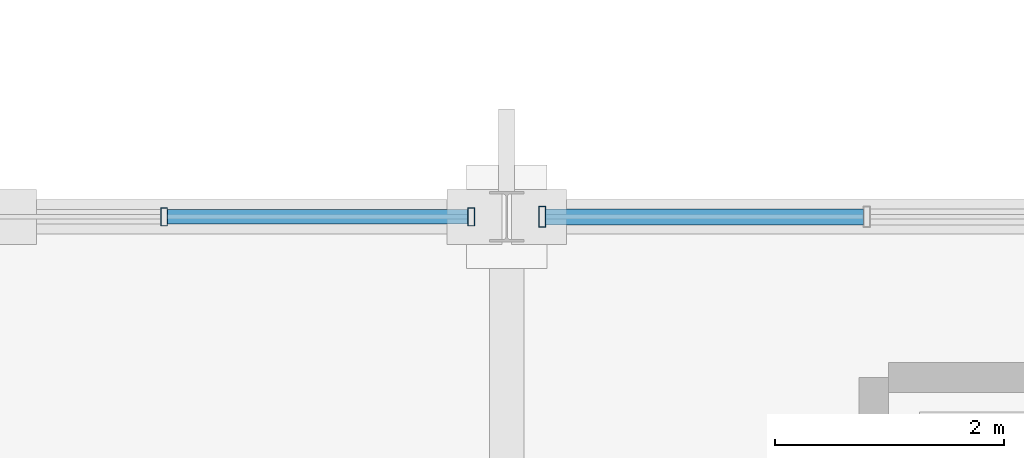
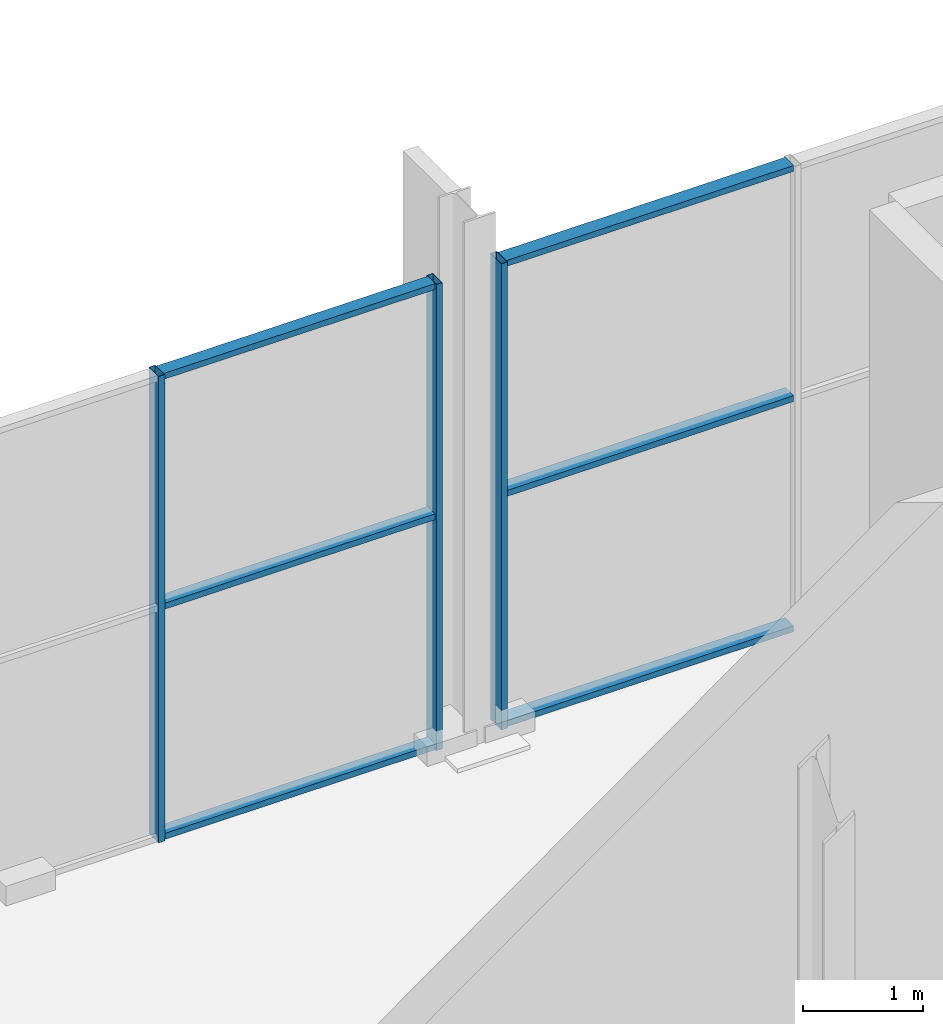
# One storey, part 84 of 196: 9 members, 2 elements without a shape of their own.
"""IFC4 building model written with IfcOpenShell, lengths in metres."""

from ifc_helpers import new_model, si_unit, direction, frame, origin, origin_2d, place, context, subcontext, project, spatial, hollow_rectangle, extrude, material, material_profile, profile_set, type_object, element, aggregate, save


model = new_model("IFC4")

# Units and contexts
model_context = context("Model", 3, precision=1e-05, world=origin(), true_north=direction((0.0, 1.0)))
body_context = subcontext(model_context, "Body", "Model", "MODEL_VIEW")
ifc_project = project(units=[si_unit("LENGTHUNIT", "METRE"), si_unit("AREAUNIT", "SQUARE_METRE"), si_unit("VOLUMEUNIT", "CUBIC_METRE"), si_unit("PLANEANGLEUNIT", "RADIAN"), si_unit("MASSUNIT", "GRAM", prefix="KILO")], contexts=[model_context])

# Site, building, storey
site_placement = place(None, origin())
site = spatial("IfcSite", under=ifc_project, at=site_placement, CompositionType="ELEMENT")
building_placement = place(site_placement, origin())
building = spatial("IfcBuilding", under=site, at=building_placement, Name="Merenkruunu Market Hall", CompositionType="ELEMENT")
storey_placement = place(building_placement, origin())
storey = spatial("IfcBuildingStorey", under=building, at=storey_placement, Name="L00", CompositionType="ELEMENT", Elevation=0.0)

# Curtain wall, members
ifc_material = material(Name="Powder-coated aluminium", Category="aluminium")
curtain_wall_type_1 = type_object("IfcCurtainWallType", Name="Glazed Curtain Wall CW06", PredefinedType="USERDEFINED", material=ifc_material)
curtain_wall_1_placement = place(storey_placement, origin())
curtain_wall_1 = element("IfcCurtainWall", 1, at=curtain_wall_1_placement, inside=storey, type_object=curtain_wall_type_1, Name="CW-L00-CWM01-184", ObjectType="GLAZED_FACADE", PredefinedType="USERDEFINED")
ifc_material_profile_1 = material_profile(ifc_material, hollow_rectangle(XDim=0.06005859375, YDim=0.159912109375, WallThickness=0.00390625, at=origin_2d()), Name="ALU 60x160x4")
ifc_profile_set_1 = profile_set([ifc_material_profile_1], Name="Powder-coated aluminium")
member_type_1 = type_object("IfcMemberType", Name="Curtain Wall Mullion CWM01", PredefinedType="MULLION", material=ifc_profile_set_1)
member_1_placement = place(storey_placement, frame((97.813232421875, 45.60009765625, 0.0), z_axis=(0.0, 0.0, 1.0), x_axis=(1.0, 0.0, 0.0)))
member_1 = element("IfcMember", 2, at=member_1_placement, type_object=member_type_1, Name="CW06 mullion 3", PredefinedType="MULLION", context=body_context, shape_type="SweptSolid", body=[
    extrude(hollow_rectangle(XDim=0.06005859375, YDim=0.159912109375, WallThickness=0.00390625, at=origin_2d()), origin(), (0.0, 0.0, 1.0), 4.75),
])
member_2_placement = place(storey_placement, frame((100.489990234375, 45.60009765625, 0.0), z_axis=(0.0, 0.0, 1.0), x_axis=(1.0, 0.0, 0.0)))
member_2 = element("IfcMember", 3, at=member_2_placement, type_object=member_type_1, Name="CW06 mullion 4", PredefinedType="MULLION", context=body_context, shape_type="SweptSolid", body=[
    extrude(hollow_rectangle(XDim=0.06005859375, YDim=0.159912109375, WallThickness=0.00390625, at=origin_2d()), origin(), (0.0, 0.0, 1.0), 4.75),
])

# Curtain wall, member
curtain_wall_type_2 = type_object("IfcCurtainWallType", Name="Glazed Curtain Wall CW04", PredefinedType="USERDEFINED", material=ifc_material)
curtain_wall_2_placement = place(storey_placement, origin())
curtain_wall_2 = element("IfcCurtainWall", 4, at=curtain_wall_2_placement, inside=storey, type_object=curtain_wall_type_2, Name="CW-L00-CWM02-188", ObjectType="GLAZED_FACADE", PredefinedType="USERDEFINED")
ifc_material_profile_2 = material_profile(ifc_material, hollow_rectangle(XDim=0.06005859375, YDim=0.179931640625, WallThickness=0.00390625, at=origin_2d()), Name="ALU 60x180x4")
ifc_profile_set_2 = profile_set([ifc_material_profile_2], Name="Powder-coated aluminium")
member_type_2 = type_object("IfcMemberType", Name="Curtain Wall Mullion CWM02", PredefinedType="MULLION", material=ifc_profile_set_2)
member_3_placement = place(storey_placement, frame((101.110107421875, 45.60009765625, 0.0), z_axis=(0.0, 0.0, 1.0), x_axis=(1.0, 0.0, 0.0)))
member_3 = element("IfcMember", 5, at=member_3_placement, type_object=member_type_2, Name="CW04 mullion 1", PredefinedType="MULLION", context=body_context, shape_type="SweptSolid", body=[
    extrude(hollow_rectangle(XDim=0.06005859375, YDim=0.179931640625, WallThickness=0.00390625, at=origin_2d()), origin(), (0.0, 0.0, 1.0), 4.75),
])

# Member
ifc_material_profile_3 = material_profile(ifc_material, hollow_rectangle(XDim=0.06005859375, YDim=0.125, WallThickness=0.00390625, at=origin_2d()), Name="ALU 60x125x4")
ifc_profile_set_3 = profile_set([ifc_material_profile_3], Name="Powder-coated aluminium")
member_type_3 = type_object("IfcMemberType", Name="Curtain Wall Transom CWT01", PredefinedType="USERDEFINED", material=ifc_profile_set_3)
member_4_placement = place(storey_placement, frame((97.84326171875, 45.60009765625, 0.030029296875), z_axis=(1.0, 0.0, 0.0), x_axis=(0.0, 0.0, 1.0)))
member_4 = element("IfcMember", 6, at=member_4_placement, type_object=member_type_3, Name="CW06 transom 3.1", ObjectType="TRANSOM", PredefinedType="USERDEFINED", context=body_context, shape_type="SweptSolid", body=[
    extrude(hollow_rectangle(XDim=0.06005859375, YDim=0.125, WallThickness=0.00390625, at=origin_2d()), origin(), (0.0, 0.0, 1.0), 2.61669921875),
])

member_5_placement = place(storey_placement, frame((97.84326171875, 45.60009765625, 2.375), z_axis=(1.0, 0.0, 0.0), x_axis=(0.0, 0.0, 1.0)))
member_5 = element("IfcMember", 7, at=member_5_placement, type_object=member_type_3, Name="CW06 transom 3.2", ObjectType="TRANSOM", PredefinedType="USERDEFINED", context=body_context, shape_type="SweptSolid", body=[
    extrude(hollow_rectangle(XDim=0.06005859375, YDim=0.125, WallThickness=0.00390625, at=origin_2d()), origin(), (0.0, 0.0, 1.0), 2.61669921875),
])

member_6_placement = place(storey_placement, frame((97.84326171875, 45.60009765625, 4.719970703125), z_axis=(1.0, 0.0, 0.0), x_axis=(0.0, 0.0, 1.0)))
member_6 = element("IfcMember", 8, at=member_6_placement, type_object=member_type_3, Name="CW06 transom 3.3", ObjectType="TRANSOM", PredefinedType="USERDEFINED", context=body_context, shape_type="SweptSolid", body=[
    extrude(hollow_rectangle(XDim=0.06005859375, YDim=0.125, WallThickness=0.00390625, at=origin_2d()), origin(), (0.0, 0.0, 1.0), 2.61669921875),
])

aggregate(curtain_wall_1, [member_1, member_2, member_4, member_5, member_6])

ifc_material_profile_4 = material_profile(ifc_material, hollow_rectangle(XDim=0.06005859375, YDim=0.139892578125, WallThickness=0.00390625, at=origin_2d()), Name="ALU 60x140x4")
ifc_profile_set_4 = profile_set([ifc_material_profile_4], Name="Powder-coated aluminium")
member_type_4 = type_object("IfcMemberType", Name="Curtain Wall Transom CWT02", PredefinedType="USERDEFINED", material=ifc_profile_set_4)
member_7_placement = place(storey_placement, frame((101.139892578125, 45.60009765625, 0.030029296875), z_axis=(1.0, 0.0, 0.0), x_axis=(0.0, 0.0, 1.0)))
member_7 = element("IfcMember", 9, at=member_7_placement, type_object=member_type_4, Name="CW04 transom 1.1", ObjectType="TRANSOM", PredefinedType="USERDEFINED", context=body_context, shape_type="SweptSolid", body=[
    extrude(hollow_rectangle(XDim=0.06005859375, YDim=0.139892578125, WallThickness=0.00390625, at=origin_2d()), origin(), (0.0, 0.0, 1.0), 2.77001953125),
])

member_8_placement = place(storey_placement, frame((101.139892578125, 45.60009765625, 2.375), z_axis=(1.0, 0.0, 0.0), x_axis=(0.0, 0.0, 1.0)))
member_8 = element("IfcMember", 10, at=member_8_placement, type_object=member_type_4, Name="CW04 transom 1.2", ObjectType="TRANSOM", PredefinedType="USERDEFINED", context=body_context, shape_type="SweptSolid", body=[
    extrude(hollow_rectangle(XDim=0.06005859375, YDim=0.139892578125, WallThickness=0.00390625, at=origin_2d()), origin(), (0.0, 0.0, 1.0), 2.77001953125),
])

member_9_placement = place(storey_placement, frame((101.139892578125, 45.60009765625, 4.719970703125), z_axis=(1.0, 0.0, 0.0), x_axis=(0.0, 0.0, 1.0)))
member_9 = element("IfcMember", 11, at=member_9_placement, type_object=member_type_4, Name="CW04 transom 1.3", ObjectType="TRANSOM", PredefinedType="USERDEFINED", context=body_context, shape_type="SweptSolid", body=[
    extrude(hollow_rectangle(XDim=0.06005859375, YDim=0.139892578125, WallThickness=0.00390625, at=origin_2d()), origin(), (0.0, 0.0, 1.0), 2.77001953125),
])

aggregate(curtain_wall_2, [member_3, member_7, member_8, member_9])

save(model, "model.ifc")
